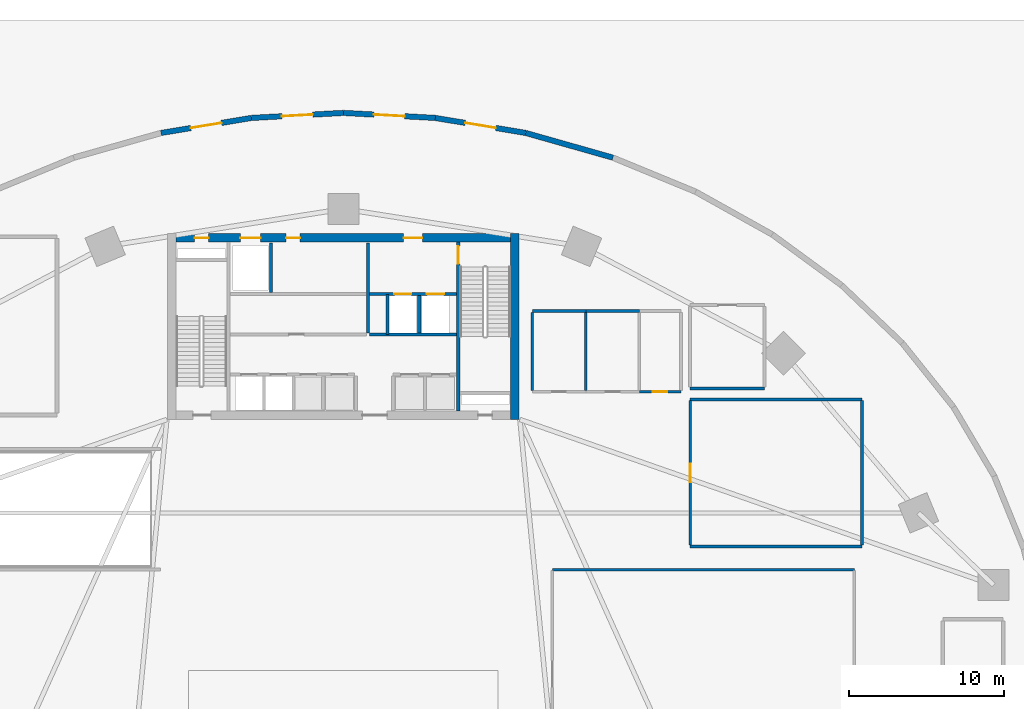
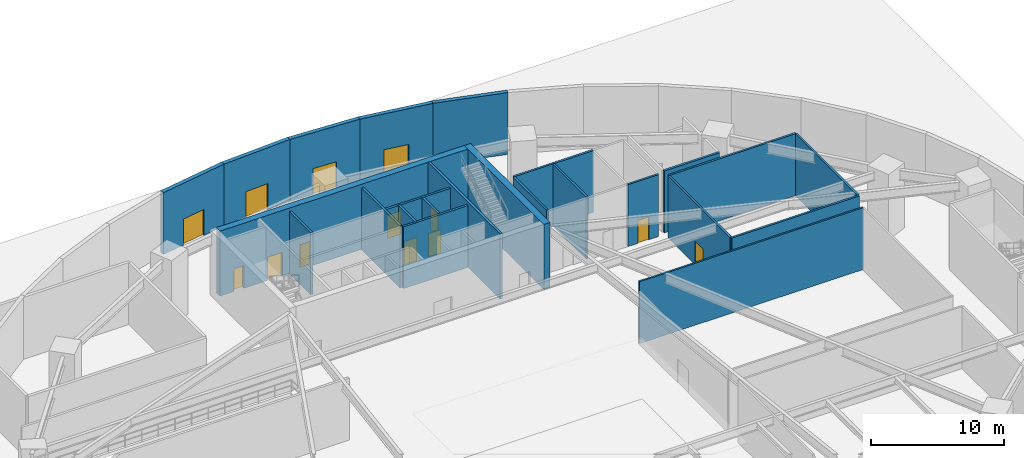
# One storey, part 5 of 14: 25 walls, 13 doors, 13 openings.
"""IFC4 building model written with IfcOpenShell, lengths in metres."""

from ifc_helpers import new_model, si_unit, direction, frame, frame_2d, origin, place, context, subcontext, project, spatial, rectangle, extrude, source, transform, mapped, material, layer, layer_set, type_object, type_shapes, element, fill, save


model = new_model("IFC4")

# Units and contexts
model_context = context("Model", 3, precision=1e-05, world=origin(), true_north=direction((0.0, 1.0)))
body_context = subcontext(model_context, "Body", "Model", "MODEL_VIEW")
ifc_project = project(units=[si_unit("LENGTHUNIT", "METRE"), si_unit("AREAUNIT", "SQUARE_METRE"), si_unit("VOLUMEUNIT", "CUBIC_METRE"), si_unit("PLANEANGLEUNIT", "RADIAN"), si_unit("MASSUNIT", "GRAM", prefix="KILO")], contexts=[model_context])

# Site, building, storey
site_placement = place(None, origin())
site = spatial("IfcSite", under=ifc_project, at=site_placement, CompositionType="ELEMENT")
building_placement = place(site_placement, origin())
building = spatial("IfcBuilding", under=site, at=building_placement, Name="Breltana Convention Tower", CompositionType="ELEMENT")
storey_placement = place(building_placement, origin())
storey = spatial("IfcBuildingStorey", under=building, at=storey_placement, Name="L00", CompositionType="ELEMENT", Elevation=0.0)

# Wall
ifc_material_1 = material(Name="Concrete C60/75", Category="concrete")
ifc_layer_1 = layer(ifc_material_1, 0.550048828125, Name="Concrete C60/75")
ifc_layer_set_1 = layer_set([ifc_layer_1], Name="Concrete C60/75")
wall_type_1 = type_object("IfcWallType", Name="SW-CORE-550", PredefinedType="SHEAR", material=ifc_layer_set_1)
shared_shape_1 = source(origin(), body_context, "Body", "SweptSolid", [
    extrude(rectangle(XDim=12.0, YDim=0.550048828125, at=frame_2d((6.0, 0.0))), origin(), (0.0, 0.0, 1.0), 6.0),
])
wall_1_placement = place(storey_placement, frame((59.074951171875, 60.199951171875, 0.0), z_axis=(0.0, 0.0, 1.0), x_axis=(0.0, 1.0, 0.0)))
element("IfcWall", 1, at=wall_1_placement, inside=storey, type_object=wall_type_1, Name="L00 East Core Shear Wall", PredefinedType="SHEAR", context=body_context, shape_type="MappedRepresentation", body=[
    mapped(shared_shape_1, transform((0.0, 0.0, 0.0), scale=1.0)),
])

# Wall, openings, doors
shared_shape_2 = source(origin(), body_context, "Body", "SweptSolid", [
    extrude(rectangle(XDim=21.60009765625, YDim=0.550048828125, at=frame_2d((10.800048828125, 0.0))), origin(), (0.0, 0.0, 1.0), 6.0),
])
wall_2_placement = place(storey_placement, frame((37.199951171875, 71.925048828125, 0.0), z_axis=(0.0, 0.0, 1.0), x_axis=(1.0, 0.0, 0.0)))
wall_2 = element("IfcWall", 2, at=wall_2_placement, inside=storey, type_object=wall_type_1, Name="L00 North Core Shear Wall", PredefinedType="SHEAR", context=body_context, shape_type="MappedRepresentation", body=[
    mapped(shared_shape_2, transform((0.0, 0.0, 0.0), scale=1.0)),
])
opening_1_placement = place(wall_2_placement, frame((1.199951171875, 0.0, 0.0)))
opening_1 = element("IfcOpeningElement", 3, at=opening_1_placement, cuts=wall_2, Name="Opening D-18", PredefinedType="OPENING", context=body_context, shape_type="SweptSolid", body=[
    extrude(rectangle(XDim=0.89990234375, YDim=2.10009765625, at=frame_2d((0.449951171875, 1.050048828125))), frame((0.0, 0.28515625, 0.0), z_axis=(0.0, -1.0, 0.0), x_axis=(1.0, 0.0, 0.0)), (0.0, 0.0, 1.0), 0.570068359375),
])
opening_2_placement = place(wall_2_placement, frame((14.699951171875, 0.0, 0.0)))
opening_2 = element("IfcOpeningElement", 4, at=opening_2_placement, cuts=wall_2, Name="Opening D-09", PredefinedType="OPENING", context=body_context, shape_type="SweptSolid", body=[
    extrude(rectangle(XDim=1.199951171875, YDim=2.14990234375, at=frame_2d((0.60009765625, 1.074951171875))), frame((0.0, 0.28515625, 0.0), z_axis=(0.0, -1.0, 0.0), x_axis=(1.0, 0.0, 0.0)), (0.0, 0.0, 1.0), 0.570068359375),
])
opening_3_placement = place(wall_2_placement, frame((4.14990234375, 0.0, 0.0)))
opening_3 = element("IfcOpeningElement", 5, at=opening_3_placement, cuts=wall_2, Name="Opening LD-01", PredefinedType="OPENING", context=body_context, shape_type="SweptSolid", body=[
    extrude(rectangle(XDim=1.300048828125, YDim=2.14990234375, at=frame_2d((0.64990234375, 1.074951171875))), frame((0.0, 0.28515625, 0.0), z_axis=(0.0, -1.0, 0.0), x_axis=(1.0, 0.0, 0.0)), (0.0, 0.0, 1.0), 0.570068359375),
])
opening_4_placement = place(wall_2_placement, frame((7.10009765625, 0.0, 0.0)))
opening_4 = element("IfcOpeningElement", 6, at=opening_4_placement, cuts=wall_2, Name="Opening D-18", PredefinedType="OPENING", context=body_context, shape_type="SweptSolid", body=[
    extrude(rectangle(XDim=0.89990234375, YDim=2.10009765625, at=frame_2d((0.449951171875, 1.050048828125))), frame((0.0, 0.28515625, 0.0), z_axis=(0.0, -1.0, 0.0), x_axis=(1.0, 0.0, 0.0)), (0.0, 0.0, 1.0), 0.570068359375),
])
ifc_material_2 = material(Name="Steel Riser Fire Door", Category="steel")
door_type_1 = type_object("IfcDoorType", Name="DR-FD60-900", OperationType="NOTDEFINED", PredefinedType="DOOR", material=ifc_material_2)
shared_shape_3 = source(origin(), body_context, "Body", "SweptSolid", [
    extrude(rectangle(XDim=0.89990234375, YDim=2.10009765625, at=frame_2d((0.449951171875, 1.050048828125))), frame((0.0, 0.02490234375, 0.0), z_axis=(0.0, -1.0, 0.0), x_axis=(1.0, 0.0, 0.0)), (0.0, 0.0, 1.0), 0.050048828125),
])
type_shapes(door_type_1, [shared_shape_3])
door_1_placement = place(opening_1_placement, origin())
door_1 = element("IfcDoor", 7, at=door_1_placement, inside=storey, type_object=door_type_1, Name="L00 Core Riser Access Door D-L00-RS1", OperationType="SINGLE_SWING_LEFT", OverallHeight=2.10009765625, OverallWidth=0.89990234375, PredefinedType="DOOR", context=body_context, shape_type="MappedRepresentation", body=[
    mapped(shared_shape_3, transform((0.0, 0.0, 0.0), scale=1.0)),
])
fill(opening_1, door_1)
door_2_placement = place(opening_4_placement, origin())
door_2 = element("IfcDoor", 8, at=door_2_placement, inside=storey, type_object=door_type_1, Name="L00 interior door D-L00-CRA1", OperationType="SINGLE_SWING_RIGHT", OverallHeight=2.10009765625, OverallWidth=0.89990234375, PredefinedType="DOOR", context=body_context, shape_type="MappedRepresentation", body=[
    mapped(shared_shape_3, transform((0.0, 0.0, 0.0), scale=1.0)),
])
fill(opening_4, door_2)
ifc_material_3 = material(Name="Steel Fire Lobby Door", Category="steel")
door_type_2 = type_object("IfcDoorType", Name="DR-FD120-1200", OperationType="NOTDEFINED", PredefinedType="DOOR", material=ifc_material_3)
shared_shape_4 = source(origin(), body_context, "Body", "SweptSolid", [
    extrude(rectangle(XDim=1.199951171875, YDim=2.14990234375, at=frame_2d((0.60009765625, 1.074951171875))), frame((0.0, 0.02490234375, 0.0), z_axis=(0.0, -1.0, 0.0), x_axis=(1.0, 0.0, 0.0)), (0.0, 0.0, 1.0), 0.050048828125),
])
type_shapes(door_type_2, [shared_shape_4])
door_3_placement = place(opening_2_placement, origin())
door_3 = element("IfcDoor", 9, at=door_3_placement, inside=storey, type_object=door_type_2, Name="L00 interior door D-L00-FFL-N", OperationType="SINGLE_SWING_RIGHT", OverallHeight=2.14990234375, OverallWidth=1.199951171875, PredefinedType="DOOR", context=body_context, shape_type="MappedRepresentation", body=[
    mapped(shared_shape_4, transform((0.0, 0.0, 0.0), scale=1.0)),
])
fill(opening_2, door_3)
ifc_material_4 = material(Name="Stainless Steel Brushed", Category="steel")
door_type_3 = type_object("IfcDoorType", Name="DR-LD-SRV-1300", OperationType="DOUBLE_DOOR_SLIDING", PredefinedType="DOOR", material=ifc_material_4)
shared_shape_5 = source(origin(), body_context, "Body", "SweptSolid", [
    extrude(rectangle(XDim=1.300048828125, YDim=2.14990234375, at=frame_2d((0.64990234375, 1.074951171875))), frame((0.0, 0.02490234375, 0.0), z_axis=(0.0, -1.0, 0.0), x_axis=(1.0, 0.0, 0.0)), (0.0, 0.0, 1.0), 0.050048828125),
])
type_shapes(door_type_3, [shared_shape_5])
door_4_placement = place(opening_3_placement, origin())
door_4 = element("IfcDoor", 10, at=door_4_placement, inside=storey, type_object=door_type_3, Name="L00 Lift Landing Door D-L00-LD-SV1", OperationType="DOUBLE_DOOR_SLIDING", OverallHeight=2.14990234375, OverallWidth=1.300048828125, PredefinedType="DOOR", context=body_context, shape_type="MappedRepresentation", body=[
    mapped(shared_shape_5, transform((0.0, 0.0, 0.0), scale=1.0)),
])
fill(opening_3, door_4)

# Wall, opening, door
ifc_material_5 = material(Name="Concrete C50/60", Category="concrete")
ifc_layer_2 = layer(ifc_material_5, 0.39990234375, Name="Concrete C50/60")
ifc_layer_set_2 = layer_set([ifc_layer_2], Name="Concrete C50/60")
wall_type_2 = type_object("IfcWallType", Name="SW-CORE-400", PredefinedType="SHEAR", material=ifc_layer_set_2)
shared_shape_6 = source(origin(), body_context, "Body", "SweptSolid", [
    extrude(rectangle(XDim=10.89990234375, YDim=0.219970703125, at=frame_2d((5.449951171875, 0.0))), origin(), (0.0, 0.0, 1.0), 6.0),
])
wall_3_placement = place(storey_placement, frame((55.419921875, 60.75, 0.0), z_axis=(0.0, 0.0, 1.0), x_axis=(0.0, 1.0, 0.0)))
wall_3 = element("IfcWall", 11, at=wall_3_placement, inside=storey, type_object=wall_type_2, Name="L00 Core East Stair Spine Wall", PredefinedType="SHEAR", context=body_context, shape_type="MappedRepresentation", body=[
    mapped(shared_shape_6, transform((0.0, 0.0, 0.0), scale=1.0)),
])
opening_5_placement = place(wall_3_placement, frame((9.4951171875, 0.0, 0.0)))
opening_5 = element("IfcOpeningElement", 12, at=opening_5_placement, cuts=wall_3, Name="Opening D-11", PredefinedType="OPENING", context=body_context, shape_type="SweptSolid", body=[
    extrude(rectangle(XDim=1.14990234375, YDim=2.14990234375, at=frame_2d((0.574951171875, 1.074951171875))), frame((0.0, 0.1201171875, 0.0), z_axis=(0.0, -1.0, 0.0), x_axis=(1.0, 0.0, 0.0)), (0.0, 0.0, 1.0), 0.239990234375),
])
ifc_material_6 = material(Name="Steel Stair Exit Door", Category="steel")
door_type_4 = type_object("IfcDoorType", Name="DR-FD120-1150", OperationType="NOTDEFINED", PredefinedType="DOOR", material=ifc_material_6)
shared_shape_7 = source(origin(), body_context, "Body", "SweptSolid", [
    extrude(rectangle(XDim=1.14990234375, YDim=2.14990234375, at=frame_2d((0.574951171875, 1.074951171875))), frame((0.0, 0.02490234375, 0.0), z_axis=(0.0, -1.0, 0.0), x_axis=(1.0, 0.0, 0.0)), (0.0, 0.0, 1.0), 0.050048828125),
])
type_shapes(door_type_4, [shared_shape_7])
door_5_placement = place(opening_5_placement, origin())
door_5 = element("IfcDoor", 13, at=door_5_placement, inside=storey, type_object=door_type_4, Name="L00 interior door D-L00-ST2", OperationType="SINGLE_SWING_LEFT", OverallHeight=2.14990234375, OverallWidth=1.14990234375, PredefinedType="DOOR", context=body_context, shape_type="MappedRepresentation", body=[
    mapped(shared_shape_7, transform((0.0, 0.0, 0.0), scale=1.0)),
])
fill(opening_5, door_5)

# Wall
ifc_material_7 = material(Name="Limestone Buff Insulated Wall", Category="masonry")
ifc_layer_3 = layer(ifc_material_7, 0.35009765625, Name="Limestone Buff Insulated Wall")
ifc_layer_set_3 = layer_set([ifc_layer_3], Name="Limestone Buff Insulated Wall")
wall_type_3 = type_object("IfcWallType", Name="WL-EXT-POD-350", PredefinedType="SOLIDWALL", material=ifc_layer_set_3)
shared_shape_8 = source(origin(), body_context, "Body", "SweptSolid", [
    extrude(rectangle(XDim=5.85791015625, YDim=0.35009765625, at=frame_2d((2.928955078125, 0.0))), origin(), (0.0, 0.0, 1.0), 5.699951171875),
])
wall_4_placement = place(storey_placement, frame((59.7763671875, 78.705078125, 0.0), z_axis=(0.0, 0.0, 1.0), x_axis=(0.962088093248, -0.272738887637, 0.0)))
element("IfcWall", 14, at=wall_4_placement, inside=storey, type_object=wall_type_3, Name="L00 limestone facade wall 10", PredefinedType="SOLIDWALL", context=body_context, shape_type="MappedRepresentation", body=[
    mapped(shared_shape_8, transform((0.0, 0.0, 0.0), scale=1.0)),
])

# Wall, opening, door
shared_shape_9 = source(origin(), body_context, "Body", "SweptSolid", [
    extrude(rectangle(XDim=5.91748046875, YDim=0.35009765625, at=frame_2d((2.958740234375, 0.0))), origin(), (0.0, 0.0, 1.0), 5.699951171875),
])
wall_5_placement = place(storey_placement, frame((53.93896484375, 79.6748046875, 0.0), z_axis=(0.0, 0.0, 1.0), x_axis=(0.986480762285, -0.163877105303, 0.0)))
wall_5 = element("IfcWall", 15, at=wall_5_placement, inside=storey, type_object=wall_type_3, Name="L00 limestone facade wall 11", PredefinedType="SOLIDWALL", context=body_context, shape_type="MappedRepresentation", body=[
    mapped(shared_shape_9, transform((0.0, 0.0, 0.0), scale=1.0)),
])
opening_6_placement = place(wall_5_placement, frame((1.958740234375, 0.0, 0.0)))
opening_6 = element("IfcOpeningElement", 16, at=opening_6_placement, cuts=wall_5, Name="Opening ED-01", PredefinedType="OPENING", context=body_context, shape_type="SweptSolid", body=[
    extrude(rectangle(XDim=2.0, YDim=2.39990234375, at=frame_2d((1.0, 1.199951171875))), frame((0.0, 0.18505859375, 0.0), z_axis=(0.0, -1.0, 0.0), x_axis=(1.0, 0.0, 0.0)), (0.0, 0.0, 1.0), 0.3701171875),
])
ifc_material_8 = material(Name="Aluminium Bronze Glazed Door", Category="aluminium")
door_type_5 = type_object("IfcDoorType", Name="DR-EXT-DBL-2000", OperationType="DOUBLE_DOOR_SINGLE_SWING", PredefinedType="DOOR", material=ifc_material_8)
shared_shape_10 = source(origin(), body_context, "Body", "SweptSolid", [
    extrude(rectangle(XDim=2.0, YDim=2.39990234375, at=frame_2d((1.0, 1.199951171875))), frame((0.0, 0.02490234375, 0.0), z_axis=(0.0, -1.0, 0.0), x_axis=(1.0, 0.0, 0.0)), (0.0, 0.0, 1.0), 0.050048828125),
])
type_shapes(door_type_5, [shared_shape_10])
door_6_placement = place(opening_6_placement, origin())
door_6 = element("IfcDoor", 17, at=door_6_placement, inside=storey, type_object=door_type_5, Name="Ground arrival concourse exterior double exit door 1", OperationType="DOUBLE_DOOR_SINGLE_SWING", OverallHeight=2.39990234375, OverallWidth=2.0, PredefinedType="DOOR", context=body_context, shape_type="MappedRepresentation", body=[
    mapped(shared_shape_10, transform((0.0, 0.0, 0.0), scale=1.0)),
])
fill(opening_6, door_6)

wall_6_placement = place(storey_placement, frame((36.2236328125, 78.705078125, 0.0), z_axis=(0.0, 0.0, 1.0), x_axis=(0.986480762285, 0.163877105303, 0.0)))
wall_6 = element("IfcWall", 18, at=wall_6_placement, inside=storey, type_object=wall_type_3, Name="L00 limestone facade wall 14", PredefinedType="SOLIDWALL", context=body_context, shape_type="MappedRepresentation", body=[
    mapped(shared_shape_9, transform((0.0, 0.0, 0.0), scale=1.0)),
])
opening_7_placement = place(wall_6_placement, frame((1.958740234375, 0.0, 0.0)))
opening_7 = element("IfcOpeningElement", 19, at=opening_7_placement, cuts=wall_6, Name="Opening ED-01", PredefinedType="OPENING", context=body_context, shape_type="SweptSolid", body=[
    extrude(rectangle(XDim=2.0, YDim=2.39990234375, at=frame_2d((1.0, 1.199951171875))), frame((0.0, 0.18505859375, 0.0), z_axis=(0.0, -1.0, 0.0), x_axis=(1.0, 0.0, 0.0)), (0.0, 0.0, 1.0), 0.3701171875),
])
door_7_placement = place(opening_7_placement, origin())
door_7 = element("IfcDoor", 20, at=door_7_placement, inside=storey, type_object=door_type_5, Name="Ground arrival concourse exterior double exit door 4", OperationType="DOUBLE_DOOR_SINGLE_SWING", OverallHeight=2.39990234375, OverallWidth=2.0, PredefinedType="DOOR", context=body_context, shape_type="MappedRepresentation", body=[
    mapped(shared_shape_10, transform((0.0, 0.0, 0.0), scale=1.0)),
])
fill(opening_7, door_7)

shared_shape_11 = source(origin(), body_context, "Body", "SweptSolid", [
    extrude(rectangle(XDim=5.94775390625, YDim=0.35009765625, at=frame_2d((2.973876953125, 0.0))), origin(), (0.0, 0.0, 1.0), 5.699951171875),
])
wall_7_placement = place(storey_placement, frame((48.0, 80.0, 0.0), z_axis=(0.0, 0.0, 1.0), x_axis=(0.998504240403, -0.054674325751, 0.0)))
wall_7 = element("IfcWall", 21, at=wall_7_placement, inside=storey, type_object=wall_type_3, Name="L00 limestone facade wall 12", PredefinedType="SOLIDWALL", context=body_context, shape_type="MappedRepresentation", body=[
    mapped(shared_shape_11, transform((0.0, 0.0, 0.0), scale=1.0)),
])
opening_8_placement = place(wall_7_placement, frame((1.973876953125, 0.0, 0.0)))
opening_8 = element("IfcOpeningElement", 22, at=opening_8_placement, cuts=wall_7, Name="Opening ED-01", PredefinedType="OPENING", context=body_context, shape_type="SweptSolid", body=[
    extrude(rectangle(XDim=2.0, YDim=2.39990234375, at=frame_2d((1.0, 1.199951171875))), frame((0.0, 0.18505859375, 0.0), z_axis=(0.0, -1.0, 0.0), x_axis=(1.0, 0.0, 0.0)), (0.0, 0.0, 1.0), 0.3701171875),
])
door_8_placement = place(opening_8_placement, origin())
door_8 = element("IfcDoor", 23, at=door_8_placement, inside=storey, type_object=door_type_5, Name="Ground arrival concourse exterior double exit door 2", OperationType="DOUBLE_DOOR_SINGLE_SWING", OverallHeight=2.39990234375, OverallWidth=2.0, PredefinedType="DOOR", context=body_context, shape_type="MappedRepresentation", body=[
    mapped(shared_shape_10, transform((0.0, 0.0, 0.0), scale=1.0)),
])
fill(opening_8, door_8)

wall_8_placement = place(storey_placement, frame((42.06103515625, 79.6748046875, 0.0), z_axis=(0.0, 0.0, 1.0), x_axis=(0.998504240403, 0.054674325751, 0.0)))
wall_8 = element("IfcWall", 24, at=wall_8_placement, inside=storey, type_object=wall_type_3, Name="L00 limestone facade wall 13", PredefinedType="SOLIDWALL", context=body_context, shape_type="MappedRepresentation", body=[
    mapped(shared_shape_11, transform((0.0, 0.0, 0.0), scale=1.0)),
])
opening_9_placement = place(wall_8_placement, frame((1.973876953125, 0.0, 0.0)))
opening_9 = element("IfcOpeningElement", 25, at=opening_9_placement, cuts=wall_8, Name="Opening ED-01", PredefinedType="OPENING", context=body_context, shape_type="SweptSolid", body=[
    extrude(rectangle(XDim=2.0, YDim=2.39990234375, at=frame_2d((1.0, 1.199951171875))), frame((0.0, 0.18505859375, 0.0), z_axis=(0.0, -1.0, 0.0), x_axis=(1.0, 0.0, 0.0)), (0.0, 0.0, 1.0), 0.3701171875),
])
door_9_placement = place(opening_9_placement, origin())
door_9 = element("IfcDoor", 26, at=door_9_placement, inside=storey, type_object=door_type_5, Name="Ground arrival concourse exterior double exit door 3", OperationType="DOUBLE_DOOR_SINGLE_SWING", OverallHeight=2.39990234375, OverallWidth=2.0, PredefinedType="DOOR", context=body_context, shape_type="MappedRepresentation", body=[
    mapped(shared_shape_10, transform((0.0, 0.0, 0.0), scale=1.0)),
])
fill(opening_9, door_9)

# Wall, openings, doors
ifc_material_9 = material(Name="Autoclaved Aerated Concrete Block", Category="concrete")
ifc_layer_4 = layer(ifc_material_9, 0.199951171875, Name="Autoclaved Aerated Concrete Block")
ifc_layer_set_4 = layer_set([ifc_layer_4], Name="Autoclaved Aerated Concrete Block")
wall_type_4 = type_object("IfcWallType", Name="WL-SHAFT-200", PredefinedType="SOLIDWALL", material=ifc_layer_set_4)
shared_shape_12 = source(origin(), body_context, "Body", "SweptSolid", [
    extrude(rectangle(XDim=5.6201171875, YDim=0.199951171875, at=frame_2d((2.81005859375, 0.0))), origin(), (0.0, 0.0, 1.0), 5.699951171875),
])
wall_9_placement = place(storey_placement, frame((49.699951171875, 68.300048828125, 0.0), z_axis=(0.0, 0.0, 1.0), x_axis=(1.0, 0.0, 0.0)))
wall_9 = element("IfcWall", 27, at=wall_9_placement, inside=storey, type_object=wall_type_4, Name="L00 interior partition W-L00-FFL-S", PredefinedType="SOLIDWALL", context=body_context, shape_type="MappedRepresentation", body=[
    mapped(shared_shape_12, transform((0.0, 0.0, 0.0), scale=1.0)),
])
opening_10_placement = place(wall_9_placement, frame((1.60009765625, 0.0, 0.0)))
opening_10 = element("IfcOpeningElement", 28, at=opening_10_placement, cuts=wall_9, Name="Opening LD-03", PredefinedType="OPENING", context=body_context, shape_type="SweptSolid", body=[
    extrude(rectangle(XDim=1.10009765625, YDim=2.14990234375, at=frame_2d((0.550048828125, 1.074951171875))), frame((0.0, 0.10986328125, 0.0), z_axis=(0.0, -1.0, 0.0), x_axis=(1.0, 0.0, 0.0)), (0.0, 0.0, 1.0), 0.219970703125),
])
opening_11_placement = place(wall_9_placement, frame((3.699951171875, 0.0, 0.0)))
opening_11 = element("IfcOpeningElement", 29, at=opening_11_placement, cuts=wall_9, Name="Opening LD-03", PredefinedType="OPENING", context=body_context, shape_type="SweptSolid", body=[
    extrude(rectangle(XDim=1.10009765625, YDim=2.14990234375, at=frame_2d((0.550048828125, 1.074951171875))), frame((0.0, 0.10986328125, 0.0), z_axis=(0.0, -1.0, 0.0), x_axis=(1.0, 0.0, 0.0)), (0.0, 0.0, 1.0), 0.219970703125),
])
door_type_6 = type_object("IfcDoorType", Name="DR-LD-FF-1100", OperationType="DOUBLE_DOOR_SLIDING", PredefinedType="DOOR", material=ifc_material_4)
shared_shape_13 = source(origin(), body_context, "Body", "SweptSolid", [
    extrude(rectangle(XDim=1.10009765625, YDim=2.14990234375, at=frame_2d((0.550048828125, 1.074951171875))), frame((0.0, 0.02490234375, 0.0), z_axis=(0.0, -1.0, 0.0), x_axis=(1.0, 0.0, 0.0)), (0.0, 0.0, 1.0), 0.050048828125),
])
type_shapes(door_type_6, [shared_shape_13])
door_10_placement = place(opening_10_placement, origin())
door_10 = element("IfcDoor", 30, at=door_10_placement, inside=storey, type_object=door_type_6, Name="L00 Lift Landing Door D-L00-LD-FL1", OperationType="DOUBLE_DOOR_SLIDING", OverallHeight=2.14990234375, OverallWidth=1.10009765625, PredefinedType="DOOR", context=body_context, shape_type="MappedRepresentation", body=[
    mapped(shared_shape_13, transform((0.0, 0.0, 0.0), scale=1.0)),
])
fill(opening_10, door_10)
door_11_placement = place(opening_11_placement, origin())
door_11 = element("IfcDoor", 31, at=door_11_placement, inside=storey, type_object=door_type_6, Name="L00 Lift Landing Door D-L00-LD-FL2", OperationType="DOUBLE_DOOR_SLIDING", OverallHeight=2.14990234375, OverallWidth=1.10009765625, PredefinedType="DOOR", context=body_context, shape_type="MappedRepresentation", body=[
    mapped(shared_shape_13, transform((0.0, 0.0, 0.0), scale=1.0)),
])
fill(opening_11, door_11)

# Walls
wall_10_placement = place(storey_placement, frame((49.699951171875, 65.679931640625, 0.0), z_axis=(0.0, 0.0, 1.0), x_axis=(1.0, 0.0, 0.0)))
element("IfcWall", 32, at=wall_10_placement, inside=storey, type_object=wall_type_4, Name="L00 interior partition W-L00-FL-S", PredefinedType="SOLIDWALL", context=body_context, shape_type="MappedRepresentation", body=[
    mapped(shared_shape_12, transform((0.0, 0.0, 0.0), scale=1.0)),
])
shared_shape_14 = source(origin(), body_context, "Body", "SweptSolid", [
    extrude(rectangle(XDim=5.800048828125, YDim=0.199951171875, at=frame_2d((2.89990234375, 0.0))), origin(), (0.0, 0.0, 1.0), 5.699951171875),
])
wall_11_placement = place(storey_placement, frame((49.60009765625, 65.800048828125, 0.0), z_axis=(0.0, 0.0, 1.0), x_axis=(0.0, 1.0, 0.0)))
element("IfcWall", 33, at=wall_11_placement, inside=storey, type_object=wall_type_4, Name="L00 interior partition W-L00-FFL-W", PredefinedType="SOLIDWALL", context=body_context, shape_type="MappedRepresentation", body=[
    mapped(shared_shape_14, transform((0.0, 0.0, 0.0), scale=1.0)),
])
shared_shape_15 = source(origin(), body_context, "Body", "SweptSolid", [
    extrude(rectangle(XDim=2.580078125, YDim=0.199951171875, at=frame_2d((1.2900390625, 0.0))), origin(), (0.0, 0.0, 1.0), 5.699951171875),
])
wall_12_placement = place(storey_placement, frame((50.85009765625, 65.679931640625, 0.0), z_axis=(0.0, 0.0, 1.0), x_axis=(0.0, 1.0, 0.0)))
element("IfcWall", 34, at=wall_12_placement, inside=storey, type_object=wall_type_4, Name="L00 interior partition W-L00-FL-W", PredefinedType="SOLIDWALL", context=body_context, shape_type="MappedRepresentation", body=[
    mapped(shared_shape_15, transform((0.0, 0.0, 0.0), scale=1.0)),
])
shared_shape_16 = source(origin(), body_context, "Body", "SweptSolid", [
    extrude(rectangle(XDim=2.39990234375, YDim=0.199951171875, at=frame_2d((1.199951171875, 0.0))), origin(), (0.0, 0.0, 1.0), 5.699951171875),
])
wall_13_placement = place(storey_placement, frame((52.89990234375, 65.800048828125, 0.0), z_axis=(0.0, 0.0, 1.0), x_axis=(0.0, 1.0, 0.0)))
element("IfcWall", 35, at=wall_13_placement, inside=storey, type_object=wall_type_4, Name="L00 interior partition W-L00-FL-DIV", PredefinedType="SOLIDWALL", context=body_context, shape_type="MappedRepresentation", body=[
    mapped(shared_shape_16, transform((0.0, 0.0, 0.0), scale=1.0)),
])
shared_shape_17 = source(origin(), body_context, "Body", "SweptSolid", [
    extrude(rectangle(XDim=3.2001953125, YDim=0.199951171875, at=frame_2d((1.60009765625, 0.0))), origin(), (0.0, 0.0, 1.0), 5.699951171875),
])
wall_14_placement = place(storey_placement, frame((43.320068359375, 68.39990234375, 0.0), z_axis=(0.0, 0.0, 1.0), x_axis=(0.0, 1.0, 0.0)))
element("IfcWall", 36, at=wall_14_placement, inside=storey, type_object=wall_type_4, Name="L00 interior partition W-L00-SV-E", PredefinedType="SOLIDWALL", context=body_context, shape_type="MappedRepresentation", body=[
    mapped(shared_shape_17, transform((0.0, 0.0, 0.0), scale=1.0)),
])
ifc_material_10 = material(Name="Moisture-Resistant Gypsum Chase Wall")
ifc_layer_5 = layer(ifc_material_10, 0.179931640625, Name="Moisture-Resistant Gypsum Chase Wall")
ifc_layer_set_5 = layer_set([ifc_layer_5], Name="Moisture-Resistant Gypsum Chase Wall")
wall_type_5 = type_object("IfcWallType", Name="WL-PLUMB-180", PredefinedType="PLUMBINGWALL", material=ifc_layer_set_5)
shared_shape_18 = source(origin(), body_context, "Body", "SweptSolid", [
    extrude(rectangle(XDim=3.4560546875, YDim=0.179931640625, at=frame_2d((1.72802734375, 0.0))), origin(), (0.0, 0.0, 1.0), 5.699951171875),
])
for number, where, z_axis, x_axis, name in (
    (37, (60.199951171875, 67.199951171875, 0.0), (0.0, 0.0, 1.0), (1.0, 0.0, 0.0), "L00 interior partition W-L00-WCM-N"),
    (38, (63.656005859375, 67.199951171875, 0.0), (0.0, 0.0, 1.0), (1.0, 0.0, 0.0), "L00 interior partition W-L00-WCF-N"),
):
    element("IfcWall", number, at=place(storey_placement, frame(where, z_axis=z_axis, x_axis=x_axis)), inside=storey, type_object=wall_type_5, Name=name, PredefinedType="PLUMBINGWALL", context=body_context, shape_type="MappedRepresentation", body=[
        mapped(shared_shape_18, transform((0.0, 0.0, 0.0), scale=1.0)),
    ])
ifc_material_11 = material(Name="Cement Board Wet-Area Partition")
ifc_layer_6 = layer(ifc_material_11, 0.175048828125, Name="Cement Board Wet-Area Partition")
ifc_layer_set_6 = layer_set([ifc_layer_6], Name="Cement Board Wet-Area Partition")
wall_type_6 = type_object("IfcWallType", Name="WL-WET-175", PredefinedType="PARTITIONING", material=ifc_layer_set_6)
shared_shape_19 = source(origin(), body_context, "Body", "SweptSolid", [
    extrude(rectangle(XDim=5.042724609375, YDim=0.175048828125, at=frame_2d((2.521484375, 0.0))), origin(), (0.0, 0.0, 1.0), 5.699951171875),
])
for number, where, z_axis, x_axis, name in (
    (39, (60.199951171875, 62.07861328125, 0.0), (0.0, 0.0, 1.0), (0.0, 1.0, 0.0), "L00 interior partition W-L00-WCM-W"),
    (40, (63.656005859375, 62.07861328125, 0.0), (0.0, 0.0, 1.0), (0.0, 1.0, 0.0), "L00 interior partition W-L00-WCM-E"),
):
    element("IfcWall", number, at=place(storey_placement, frame(where, z_axis=z_axis, x_axis=x_axis)), inside=storey, type_object=wall_type_6, Name=name, PredefinedType="PARTITIONING", context=body_context, shape_type="MappedRepresentation", body=[
        mapped(shared_shape_19, transform((0.0, 0.0, 0.0), scale=1.0)),
    ])

# Wall, opening, door
shared_shape_20 = source(origin(), body_context, "Body", "SweptSolid", [
    extrude(rectangle(XDim=2.68798828125, YDim=0.175048828125, at=frame_2d((1.343994140625, 0.0))), origin(), (0.0, 0.0, 1.0), 5.699951171875),
])
wall_15_placement = place(storey_placement, frame((67.112060546875, 62.0, 0.0), z_axis=(0.0, 0.0, 1.0), x_axis=(1.0, 0.0, 0.0)))
wall_15 = element("IfcWall", 41, at=wall_15_placement, inside=storey, type_object=wall_type_6, Name="L00 interior partition W-L00-WCA-S", PredefinedType="PARTITIONING", context=body_context, shape_type="MappedRepresentation", body=[
    mapped(shared_shape_20, transform((0.0, 0.0, 0.0), scale=1.0)),
])
opening_12_placement = place(wall_15_placement, frame((0.868896484375, 0.0, 0.0)))
opening_12 = element("IfcOpeningElement", 42, at=opening_12_placement, cuts=wall_15, Name="Opening D-16", PredefinedType="OPENING", context=body_context, shape_type="SweptSolid", body=[
    extrude(rectangle(XDim=0.949951171875, YDim=2.1201171875, at=frame_2d((0.47509765625, 1.06005859375))), frame((0.0, 0.09765625, 0.0), z_axis=(0.0, -1.0, 0.0), x_axis=(1.0, 0.0, 0.0)), (0.0, 0.0, 1.0), 0.195068359375),
])
ifc_material_12 = material(Name="Timber Laminate Accessible Door", Category="wood")
door_type_7 = type_object("IfcDoorType", Name="DR-ACC-950", OperationType="NOTDEFINED", PredefinedType="DOOR", material=ifc_material_12)
shared_shape_21 = source(origin(), body_context, "Body", "SweptSolid", [
    extrude(rectangle(XDim=0.949951171875, YDim=2.1201171875, at=frame_2d((0.47509765625, 1.06005859375))), frame((0.0, 0.02490234375, 0.0), z_axis=(0.0, -1.0, 0.0), x_axis=(1.0, 0.0, 0.0)), (0.0, 0.0, 1.0), 0.050048828125),
])
type_shapes(door_type_7, [shared_shape_21])
door_12_placement = place(opening_12_placement, origin())
door_12 = element("IfcDoor", 43, at=door_12_placement, inside=storey, type_object=door_type_7, Name="L00 interior door D-L00-WCA", OperationType="SINGLE_SWING_RIGHT", OverallHeight=2.1201171875, OverallWidth=0.949951171875, PredefinedType="DOOR", context=body_context, shape_type="MappedRepresentation", body=[
    mapped(shared_shape_21, transform((0.0, 0.0, 0.0), scale=1.0)),
])
fill(opening_12, door_12)

# Walls
shared_shape_22 = source(origin(), body_context, "Body", "SweptSolid", [
    extrude(rectangle(XDim=4.800048828125, YDim=0.199951171875, at=frame_2d((2.39990234375, 0.0))), origin(), (0.0, 0.0, 1.0), 5.699951171875),
])
wall_16_placement = place(storey_placement, frame((70.39990234375, 62.199951171875, 0.0), z_axis=(0.0, 0.0, 1.0), x_axis=(1.0, 0.0, 0.0)))
element("IfcWall", 44, at=wall_16_placement, inside=storey, type_object=wall_type_4, Name="L00 interior partition W-L00-FCC-S", PredefinedType="SOLIDWALL", context=body_context, shape_type="MappedRepresentation", body=[
    mapped(shared_shape_22, transform((0.0, 0.0, 0.0), scale=1.0)),
])
ifc_material_13 = material(Name="Gypsum Acoustic Drywall Partition")
ifc_layer_7 = layer(ifc_material_13, 0.14990234375, Name="Gypsum Acoustic Drywall Partition")
ifc_layer_set_7 = layer_set([ifc_layer_7], Name="Gypsum Acoustic Drywall Partition")
wall_type_7 = type_object("IfcWallType", Name="WL-PART-150", PredefinedType="PARTITIONING", material=ifc_layer_set_7)
shared_shape_23 = source(origin(), body_context, "Body", "SweptSolid", [
    extrude(rectangle(XDim=19.5, YDim=0.14990234375, at=frame_2d((9.75, 0.0))), origin(), (0.0, 0.0, 1.0), 5.699951171875),
])
wall_17_placement = place(storey_placement, frame((61.5, 50.5, 0.0), z_axis=(0.0, 0.0, 1.0), x_axis=(1.0, 0.0, 0.0)))
element("IfcWall", 45, at=wall_17_placement, inside=storey, type_object=wall_type_7, Name="L00 interior partition W-L00-RTL-N", PredefinedType="PARTITIONING", context=body_context, shape_type="MappedRepresentation", body=[
    mapped(shared_shape_23, transform((0.0, 0.0, 0.0), scale=1.0)),
])
shared_shape_24 = source(origin(), body_context, "Body", "SweptSolid", [
    extrude(rectangle(XDim=11.10009765625, YDim=0.175048828125, at=frame_2d((5.550048828125, 0.0))), origin(), (0.0, 0.0, 1.0), 5.699951171875),
])
wall_18_placement = place(storey_placement, frame((70.39990234375, 52.0, 0.0), z_axis=(0.0, 0.0, 1.0), x_axis=(1.0, 0.0, 0.0)))
element("IfcWall", 46, at=wall_18_placement, inside=storey, type_object=wall_type_6, Name="L00 interior partition W-L00-KIT-S", PredefinedType="PARTITIONING", context=body_context, shape_type="MappedRepresentation", body=[
    mapped(shared_shape_24, transform((0.0, 0.0, 0.0), scale=1.0)),
])
shared_shape_25 = source(origin(), body_context, "Body", "SweptSolid", [
    extrude(rectangle(XDim=11.10009765625, YDim=0.179931640625, at=frame_2d((5.550048828125, 0.0))), origin(), (0.0, 0.0, 1.0), 5.699951171875),
])
wall_19_placement = place(storey_placement, frame((70.39990234375, 61.5, 0.0), z_axis=(0.0, 0.0, 1.0), x_axis=(1.0, 0.0, 0.0)))
element("IfcWall", 47, at=wall_19_placement, inside=storey, type_object=wall_type_5, Name="L00 interior partition W-L00-KIT-N", PredefinedType="PLUMBINGWALL", context=body_context, shape_type="MappedRepresentation", body=[
    mapped(shared_shape_25, transform((0.0, 0.0, 0.0), scale=1.0)),
])

# Wall, opening, door
shared_shape_26 = source(origin(), body_context, "Body", "SweptSolid", [
    extrude(rectangle(XDim=9.3427734375, YDim=0.175048828125, at=frame_2d((4.67138671875, 0.0))), origin(), (0.0, 0.0, 1.0), 5.699951171875),
])
wall_20_placement = place(storey_placement, frame((70.39990234375, 52.07861328125, 0.0), z_axis=(0.0, 0.0, 1.0), x_axis=(0.0, 1.0, 0.0)))
wall_20 = element("IfcWall", 48, at=wall_20_placement, inside=storey, type_object=wall_type_6, Name="L00 interior partition W-L00-KIT-W", PredefinedType="PARTITIONING", context=body_context, shape_type="MappedRepresentation", body=[
    mapped(shared_shape_26, transform((0.0, 0.0, 0.0), scale=1.0)),
])
opening_13_placement = place(wall_20_placement, frame((4.0712890625, 0.0, 0.0)))
opening_13 = element("IfcOpeningElement", 49, at=opening_13_placement, cuts=wall_20, Name="Opening D-10", PredefinedType="OPENING", context=body_context, shape_type="SweptSolid", body=[
    extrude(rectangle(XDim=1.199951171875, YDim=2.14990234375, at=frame_2d((0.60009765625, 1.074951171875))), frame((0.0, 0.09765625, 0.0), z_axis=(0.0, -1.0, 0.0), x_axis=(1.0, 0.0, 0.0)), (0.0, 0.0, 1.0), 0.195068359375),
])
ifc_material_14 = material(Name="Timber Oak Veneer Fire Door", Category="wood")
door_type_8 = type_object("IfcDoorType", Name="DR-INT-1200", OperationType="NOTDEFINED", PredefinedType="DOOR", material=ifc_material_14)
shared_shape_27 = source(origin(), body_context, "Body", "SweptSolid", [
    extrude(rectangle(XDim=1.199951171875, YDim=2.14990234375, at=frame_2d((0.60009765625, 1.074951171875))), frame((0.0, 0.02490234375, 0.0), z_axis=(0.0, -1.0, 0.0), x_axis=(1.0, 0.0, 0.0)), (0.0, 0.0, 1.0), 0.050048828125),
])
type_shapes(door_type_8, [shared_shape_27])
door_13_placement = place(opening_13_placement, origin())
door_13 = element("IfcDoor", 50, at=door_13_placement, inside=storey, type_object=door_type_8, Name="L00 interior door D-L00-KIT", OperationType="SINGLE_SWING_LEFT", OverallHeight=2.14990234375, OverallWidth=1.199951171875, PredefinedType="DOOR", context=body_context, shape_type="MappedRepresentation", body=[
    mapped(shared_shape_27, transform((0.0, 0.0, 0.0), scale=1.0)),
])
fill(opening_13, door_13)

# Wall
wall_21_placement = place(storey_placement, frame((81.5, 52.07861328125, 0.0), z_axis=(0.0, 0.0, 1.0), x_axis=(0.0, 1.0, 0.0)))
element("IfcWall", 51, at=wall_21_placement, inside=storey, type_object=wall_type_6, Name="L00 interior partition W-L00-KIT-E", PredefinedType="PARTITIONING", context=body_context, shape_type="MappedRepresentation", body=[
    mapped(shared_shape_26, transform((0.0, 0.0, 0.0), scale=1.0)),
])

save(model, "model.ifc")
